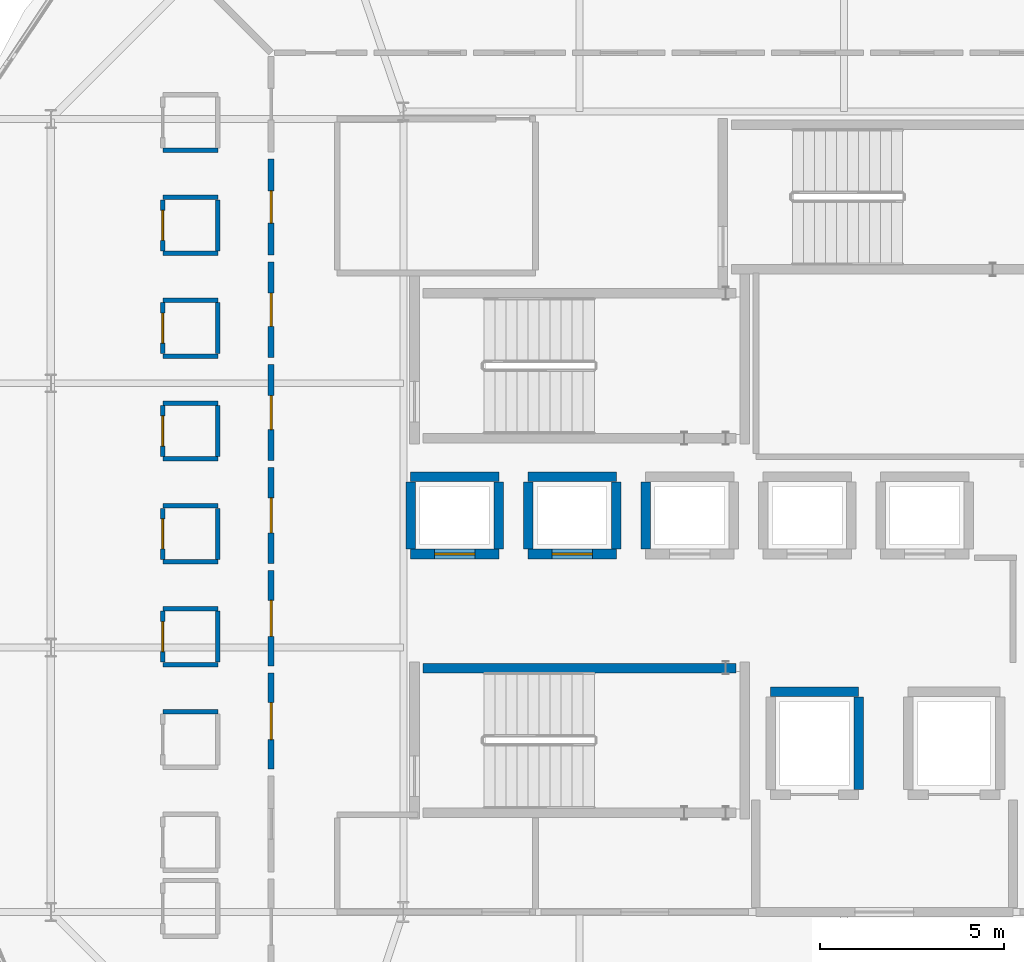
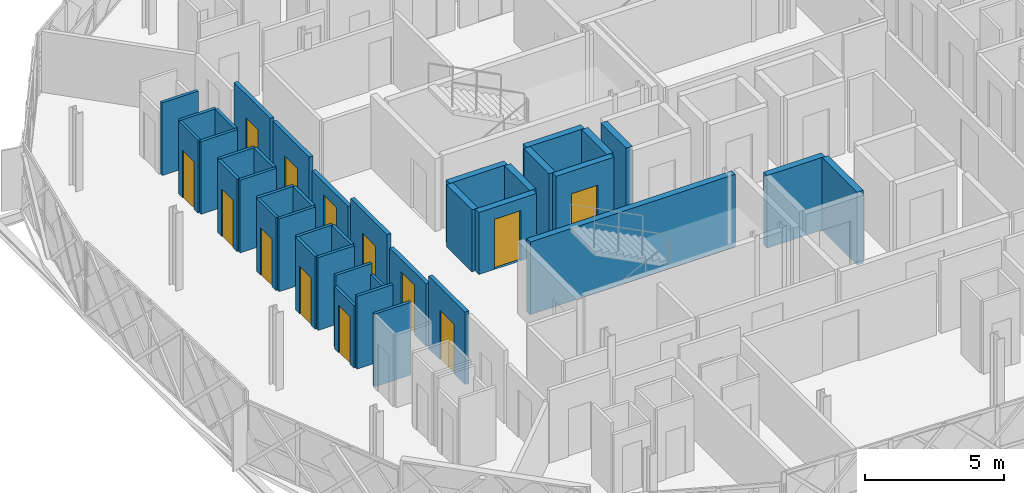
# One storey, part 16 of 26: 40 walls, 13 doors, 13 openings.
"""IFC4 building model written with IfcOpenShell, lengths in metres."""

from ifc_helpers import new_model, si_unit, direction, frame, frame_2d, origin, place, context, subcontext, project, spatial, rectangle, extrude, material, layer, layer_set, type_object, element, fill, save


model = new_model("IFC4")

# Units and contexts
model_context = context("Model", 3, precision=1e-05, world=origin(), true_north=direction((0.0, 1.0)))
body_context = subcontext(model_context, "Body", "Model", "MODEL_VIEW")
ifc_project = project(units=[si_unit("LENGTHUNIT", "METRE"), si_unit("AREAUNIT", "SQUARE_METRE"), si_unit("VOLUMEUNIT", "CUBIC_METRE"), si_unit("PLANEANGLEUNIT", "RADIAN"), si_unit("MASSUNIT", "GRAM", prefix="KILO")], contexts=[model_context])

# Site, building, storey
site_placement = place(None, origin())
site = spatial("IfcSite", under=ifc_project, at=site_placement, CompositionType="ELEMENT")
building_placement = place(site_placement, origin())
building = spatial("IfcBuilding", under=site, at=building_placement, Name="Zevrakil Square Congress Hotel", CompositionType="ELEMENT")
storey_placement = place(building_placement, frame((0.0, 0.0, 24.89990234375)))
storey = spatial("IfcBuildingStorey", under=building, at=storey_placement, Name="L07", CompositionType="ELEMENT", Elevation=24.89990234375)

# Wall, opening, door
ifc_material_1 = material(Name="Gypsum Acoustic Stud Partition")
ifc_layer_1 = layer(ifc_material_1, 0.159912109375)
ifc_layer_set_1 = layer_set([ifc_layer_1], Name="Gypsum Acoustic Stud Partition")
wall_type_1 = type_object("IfcWallType", Name="WAL-CORR-160", PredefinedType="PARTITIONING", material=ifc_layer_set_1)
wall_1_placement = place(storey_placement, frame((133.199951171875, 34.695068359375, 0.0), z_axis=(0.0, 0.0, 1.0), x_axis=(0.0, 1.0, 0.0)))
wall_1 = element("IfcWall", 1, at=wall_1_placement, inside=storey, type_object=wall_type_1, Name="L07 interior partition PW-L07-1071", PredefinedType="PARTITIONING", context=body_context, shape_type="SweptSolid", body=[
    extrude(rectangle(XDim=2.60986328125, YDim=0.159912109375, at=frame_2d((1.304931640625, 0.0))), origin(), (0.0, 0.0, 1.0), 3.190185546875),
])
opening_1_placement = place(wall_1_placement, frame((0.864990234375, 0.0, 0.0)))
opening_1 = element("IfcOpeningElement", 2, at=opening_1_placement, cuts=wall_1, Name="Opening ID-G22", PredefinedType="OPENING", context=body_context, shape_type="SweptSolid", body=[
    extrude(rectangle(XDim=0.8798828125, YDim=2.169921875, at=frame_2d((0.43994140625, 1.0849609375))), frame((0.0, 0.08984375, 0.0), z_axis=(0.0, -1.0, 0.0), x_axis=(1.0, 0.0, 0.0)), (0.0, 0.0, 1.0), 0.179931640625),
])
ifc_material_2 = material(Name="Acoustic Timber Fire Door", Category="wood")
door_type_1 = type_object("IfcDoorType", Name="DOR-INT-G22", OperationType="NOTDEFINED", PredefinedType="DOOR", material=ifc_material_2)
door_1_placement = place(opening_1_placement, origin())
door_1 = element("IfcDoor", 3, at=door_1_placement, inside=storey, type_object=door_type_1, Name="L07 interior door 420", OperationType="SINGLE_SWING_RIGHT", OverallHeight=2.169921875, OverallWidth=0.8798828125, PredefinedType="DOOR", context=body_context, shape_type="SweptSolid", body=[
    extrude(rectangle(XDim=0.8798828125, YDim=2.169921875, at=frame_2d((0.43994140625, 1.0849609375))), frame((0.0, 0.02490234375, 0.0), z_axis=(0.0, -1.0, 0.0), x_axis=(1.0, 0.0, 0.0)), (0.0, 0.0, 1.0), 0.050048828125),
])
fill(opening_1, door_1)

wall_2_placement = place(storey_placement, frame((133.199951171875, 31.89501953125, 0.0), z_axis=(0.0, 0.0, 1.0), x_axis=(0.0, 1.0, 0.0)))
wall_2 = element("IfcWall", 4, at=wall_2_placement, inside=storey, type_object=wall_type_1, Name="L07 interior partition PW-L07-1076", PredefinedType="PARTITIONING", context=body_context, shape_type="SweptSolid", body=[
    extrude(rectangle(XDim=2.60986328125, YDim=0.159912109375, at=frame_2d((1.304931640625, 0.0))), origin(), (0.0, 0.0, 1.0), 3.190185546875),
])
opening_2_placement = place(wall_2_placement, frame((0.8525390625, 0.0, 0.0)))
opening_2 = element("IfcOpeningElement", 5, at=opening_2_placement, cuts=wall_2, Name="Opening ID-G23", PredefinedType="OPENING", context=body_context, shape_type="SweptSolid", body=[
    extrude(rectangle(XDim=0.905029296875, YDim=2.169921875, at=frame_2d((0.45263671875, 1.0849609375))), frame((0.0, 0.08984375, 0.0), z_axis=(0.0, -1.0, 0.0), x_axis=(1.0, 0.0, 0.0)), (0.0, 0.0, 1.0), 0.179931640625),
])
ifc_material_3 = material(Name="Acoustic Timber Fire Door", Category="wood")
door_type_2 = type_object("IfcDoorType", Name="DOR-INT-G23", OperationType="NOTDEFINED", PredefinedType="DOOR", material=ifc_material_3)
door_2_placement = place(opening_2_placement, origin())
door_2 = element("IfcDoor", 6, at=door_2_placement, inside=storey, type_object=door_type_2, Name="L07 interior door 422", OperationType="SINGLE_SWING_RIGHT", OverallHeight=2.169921875, OverallWidth=0.905029296875, PredefinedType="DOOR", context=body_context, shape_type="SweptSolid", body=[
    extrude(rectangle(XDim=0.905029296875, YDim=2.169921875, at=frame_2d((0.45263671875, 1.0849609375))), frame((0.0, 0.02490234375, 0.0), z_axis=(0.0, -1.0, 0.0), x_axis=(1.0, 0.0, 0.0)), (0.0, 0.0, 1.0), 0.050048828125),
])
fill(opening_2, door_2)

wall_3_placement = place(storey_placement, frame((133.199951171875, 29.094970703125, 0.0), z_axis=(0.0, 0.0, 1.0), x_axis=(0.0, 1.0, 0.0)))
wall_3 = element("IfcWall", 7, at=wall_3_placement, inside=storey, type_object=wall_type_1, Name="L07 interior partition PW-L07-1081", PredefinedType="PARTITIONING", context=body_context, shape_type="SweptSolid", body=[
    extrude(rectangle(XDim=2.610107421875, YDim=0.159912109375, at=frame_2d((1.30517578125, 0.0))), origin(), (0.0, 0.0, 1.0), 2.72509765625),
])
opening_3_placement = place(wall_3_placement, frame((0.840087890625, 0.0, 0.0)))
opening_3 = element("IfcOpeningElement", 8, at=opening_3_placement, cuts=wall_3, Name="Opening ID-G24", PredefinedType="OPENING", context=body_context, shape_type="SweptSolid", body=[
    extrude(rectangle(XDim=0.929931640625, YDim=2.169921875, at=frame_2d((0.46484375, 1.0849609375))), frame((0.0, 0.08984375, 0.0), z_axis=(0.0, -1.0, 0.0), x_axis=(1.0, 0.0, 0.0)), (0.0, 0.0, 1.0), 0.179931640625),
])
ifc_material_4 = material(Name="Acoustic Timber Fire Door", Category="wood")
door_type_3 = type_object("IfcDoorType", Name="DOR-INT-G24", OperationType="NOTDEFINED", PredefinedType="DOOR", material=ifc_material_4)
door_3_placement = place(opening_3_placement, origin())
door_3 = element("IfcDoor", 9, at=door_3_placement, inside=storey, type_object=door_type_3, Name="L07 interior door 424", OperationType="SINGLE_SWING_RIGHT", OverallHeight=2.169921875, OverallWidth=0.929931640625, PredefinedType="DOOR", context=body_context, shape_type="SweptSolid", body=[
    extrude(rectangle(XDim=0.929931640625, YDim=2.169921875, at=frame_2d((0.46484375, 1.0849609375))), frame((0.0, 0.02490234375, 0.0), z_axis=(0.0, -1.0, 0.0), x_axis=(1.0, 0.0, 0.0)), (0.0, 0.0, 1.0), 0.050048828125),
])
fill(opening_3, door_3)

wall_4_placement = place(storey_placement, frame((133.199951171875, 26.294921875, 0.0), z_axis=(0.0, 0.0, 1.0), x_axis=(0.0, 1.0, 0.0)))
wall_4 = element("IfcWall", 10, at=wall_4_placement, inside=storey, type_object=wall_type_1, Name="L07 interior partition PW-L07-1086", PredefinedType="PARTITIONING", context=body_context, shape_type="SweptSolid", body=[
    extrude(rectangle(XDim=2.610107421875, YDim=0.159912109375, at=frame_2d((1.30517578125, 0.0))), origin(), (0.0, 0.0, 1.0), 3.190185546875),
])
opening_4_placement = place(wall_4_placement, frame((0.827392578125, 0.0, 0.0)))
opening_4 = element("IfcOpeningElement", 11, at=opening_4_placement, cuts=wall_4, Name="Opening ID-G25", PredefinedType="OPENING", context=body_context, shape_type="SweptSolid", body=[
    extrude(rectangle(XDim=0.955078125, YDim=2.169921875, at=frame_2d((0.4775390625, 1.0849609375))), frame((0.0, 0.08984375, 0.0), z_axis=(0.0, -1.0, 0.0), x_axis=(1.0, 0.0, 0.0)), (0.0, 0.0, 1.0), 0.179931640625),
])
ifc_material_5 = material(Name="Acoustic Timber Fire Door", Category="wood")
door_type_4 = type_object("IfcDoorType", Name="DOR-INT-G25", OperationType="NOTDEFINED", PredefinedType="DOOR", material=ifc_material_5)
door_4_placement = place(opening_4_placement, origin())
door_4 = element("IfcDoor", 12, at=door_4_placement, inside=storey, type_object=door_type_4, Name="L07 interior door 426", OperationType="SINGLE_SWING_RIGHT", OverallHeight=2.169921875, OverallWidth=0.955078125, PredefinedType="DOOR", context=body_context, shape_type="SweptSolid", body=[
    extrude(rectangle(XDim=0.955078125, YDim=2.169921875, at=frame_2d((0.4775390625, 1.0849609375))), frame((0.0, 0.02490234375, 0.0), z_axis=(0.0, -1.0, 0.0), x_axis=(1.0, 0.0, 0.0)), (0.0, 0.0, 1.0), 0.050048828125),
])
fill(opening_4, door_4)

wall_5_placement = place(storey_placement, frame((133.199951171875, 23.4951171875, 0.0), z_axis=(0.0, 0.0, 1.0), x_axis=(0.0, 1.0, 0.0)))
wall_5 = element("IfcWall", 13, at=wall_5_placement, inside=storey, type_object=wall_type_1, Name="L07 interior partition PW-L07-1091", PredefinedType="PARTITIONING", context=body_context, shape_type="SweptSolid", body=[
    extrude(rectangle(XDim=2.60986328125, YDim=0.159912109375, at=frame_2d((1.304931640625, 0.0))), origin(), (0.0, 0.0, 1.0), 2.72509765625),
])
opening_5_placement = place(wall_5_placement, frame((0.81494140625, 0.0, 0.0)))
opening_5 = element("IfcOpeningElement", 14, at=opening_5_placement, cuts=wall_5, Name="Opening ID-G26", PredefinedType="OPENING", context=body_context, shape_type="SweptSolid", body=[
    extrude(rectangle(XDim=0.97998046875, YDim=2.169921875, at=frame_2d((0.489990234375, 1.0849609375))), frame((0.0, 0.08984375, 0.0), z_axis=(0.0, -1.0, 0.0), x_axis=(1.0, 0.0, 0.0)), (0.0, 0.0, 1.0), 0.179931640625),
])
ifc_material_6 = material(Name="Acoustic Timber Fire Door", Category="wood")
door_type_5 = type_object("IfcDoorType", Name="DOR-INT-G26", OperationType="NOTDEFINED", PredefinedType="DOOR", material=ifc_material_6)
door_5_placement = place(opening_5_placement, origin())
door_5 = element("IfcDoor", 15, at=door_5_placement, inside=storey, type_object=door_type_5, Name="L07 interior door 428", OperationType="SINGLE_SWING_RIGHT", OverallHeight=2.169921875, OverallWidth=0.97998046875, PredefinedType="DOOR", context=body_context, shape_type="SweptSolid", body=[
    extrude(rectangle(XDim=0.97998046875, YDim=2.169921875, at=frame_2d((0.489990234375, 1.0849609375))), frame((0.0, 0.02490234375, 0.0), z_axis=(0.0, -1.0, 0.0), x_axis=(1.0, 0.0, 0.0)), (0.0, 0.0, 1.0), 0.050048828125),
])
fill(opening_5, door_5)

wall_6_placement = place(storey_placement, frame((133.199951171875, 20.695068359375, 0.0), z_axis=(0.0, 0.0, 1.0), x_axis=(0.0, 1.0, 0.0)))
wall_6 = element("IfcWall", 16, at=wall_6_placement, inside=storey, type_object=wall_type_1, Name="L07 interior partition PW-L07-1096", PredefinedType="PARTITIONING", context=body_context, shape_type="SweptSolid", body=[
    extrude(rectangle(XDim=2.60986328125, YDim=0.159912109375, at=frame_2d((1.304931640625, 0.0))), origin(), (0.0, 0.0, 1.0), 3.190185546875),
])
opening_6_placement = place(wall_6_placement, frame((0.802490234375, 0.0, 0.0)))
opening_6 = element("IfcOpeningElement", 17, at=opening_6_placement, cuts=wall_6, Name="Opening ID-G27", PredefinedType="OPENING", context=body_context, shape_type="SweptSolid", body=[
    extrude(rectangle(XDim=1.0048828125, YDim=2.169921875, at=frame_2d((0.50244140625, 1.0849609375))), frame((0.0, 0.08984375, 0.0), z_axis=(0.0, -1.0, 0.0), x_axis=(1.0, 0.0, 0.0)), (0.0, 0.0, 1.0), 0.179931640625),
])
ifc_material_7 = material(Name="Acoustic Timber Fire Door", Category="wood")
door_type_6 = type_object("IfcDoorType", Name="DOR-INT-G27", OperationType="NOTDEFINED", PredefinedType="DOOR", material=ifc_material_7)
door_6_placement = place(opening_6_placement, origin())
door_6 = element("IfcDoor", 18, at=door_6_placement, inside=storey, type_object=door_type_6, Name="L07 interior door 430", OperationType="SINGLE_SWING_RIGHT", OverallHeight=2.169921875, OverallWidth=1.0048828125, PredefinedType="DOOR", context=body_context, shape_type="SweptSolid", body=[
    extrude(rectangle(XDim=1.0048828125, YDim=2.169921875, at=frame_2d((0.50244140625, 1.0849609375))), frame((0.0, 0.02490234375, 0.0), z_axis=(0.0, -1.0, 0.0), x_axis=(1.0, 0.0, 0.0)), (0.0, 0.0, 1.0), 0.050048828125),
])
fill(opening_6, door_6)

# Walls
ifc_material_8 = material(Name="Moisture-Resistant Gypsum Partition")
ifc_layer_2 = layer(ifc_material_8, 0.1201171875)
ifc_layer_set_2 = layer_set([ifc_layer_2], Name="Moisture-Resistant Gypsum Partition")
wall_type_2 = type_object("IfcWallType", Name="WAL-ENS-120", PredefinedType="PARTITIONING", material=ifc_layer_set_2)
for number, where, z_axis, x_axis, name in (
    (19, (130.25, 37.5400390625, 0.0), (0.0, 0.0, 1.0), (1.0, 0.0, 0.0), "L07 interior partition PW-L07-1067"),
    (20, (130.25, 34.739990234375, 0.0), (0.0, 0.0, 1.0), (1.0, 0.0, 0.0), "L07 interior partition PW-L07-1072"),
    (21, (130.25, 36.260009765625, 0.0), (0.0, 0.0, 1.0), (1.0, 0.0, 0.0), "L07 interior partition PW-L07-1073"),
):
    element("IfcWall", number, at=place(storey_placement, frame(where, z_axis=z_axis, x_axis=x_axis)), inside=storey, type_object=wall_type_2, Name=name, PredefinedType="PARTITIONING", context=body_context, shape_type="SweptSolid", body=[
        extrude(rectangle(XDim=1.5, YDim=0.1201171875, at=frame_2d((0.75, 0.0))), origin(), (0.0, 0.0, 1.0), 3.190185546875),
    ])

# Wall, opening, door
wall_7_placement = place(storey_placement, frame((130.25, 34.804931640625, 0.0), z_axis=(0.0, 0.0, 1.0), x_axis=(0.0, 1.0, 0.0)))
wall_7 = element("IfcWall", 22, at=wall_7_placement, inside=storey, type_object=wall_type_2, Name="L07 interior partition PW-L07-1074", PredefinedType="PARTITIONING", context=body_context, shape_type="SweptSolid", body=[
    extrude(rectangle(XDim=1.39013671875, YDim=0.1201171875, at=frame_2d((0.695068359375, 0.0))), origin(), (0.0, 0.0, 1.0), 3.190185546875),
])
opening_7_placement = place(wall_7_placement, frame((0.284912109375, 0.0, 0.0)))
opening_7 = element("IfcOpeningElement", 23, at=opening_7_placement, cuts=wall_7, Name="Opening ID-11", PredefinedType="OPENING", context=body_context, shape_type="SweptSolid", body=[
    extrude(rectangle(XDim=0.820068359375, YDim=2.080078125, at=frame_2d((0.41015625, 1.0400390625))), frame((0.0, 0.070068359375, 0.0), z_axis=(0.0, -1.0, 0.0), x_axis=(1.0, 0.0, 0.0)), (0.0, 0.0, 1.0), 0.14013671875),
])
ifc_material_9 = material(Name="Acoustic Timber Door", Category="wood")
door_type_7 = type_object("IfcDoorType", Name="DOR-INT-V01", OperationType="NOTDEFINED", PredefinedType="DOOR", material=ifc_material_9)
door_7_placement = place(opening_7_placement, origin())
door_7 = element("IfcDoor", 24, at=door_7_placement, inside=storey, type_object=door_type_7, Name="L07 interior door 421", OperationType="SINGLE_SWING_LEFT", OverallHeight=2.080078125, OverallWidth=0.820068359375, PredefinedType="DOOR", context=body_context, shape_type="SweptSolid", body=[
    extrude(rectangle(XDim=0.820068359375, YDim=2.080078125, at=frame_2d((0.41015625, 1.0400390625))), frame((0.0, 0.02490234375, 0.0), z_axis=(0.0, -1.0, 0.0), x_axis=(1.0, 0.0, 0.0)), (0.0, 0.0, 1.0), 0.050048828125),
])
fill(opening_7, door_7)

# Walls
wall_8_placement = place(storey_placement, frame((131.75, 34.804931640625, 0.0), z_axis=(0.0, 0.0, 1.0), x_axis=(0.0, 1.0, 0.0)))
element("IfcWall", 25, at=wall_8_placement, inside=storey, type_object=wall_type_2, Name="L07 interior partition PW-L07-1075", PredefinedType="PARTITIONING", context=body_context, shape_type="SweptSolid", body=[
    extrude(rectangle(XDim=1.39013671875, YDim=0.1201171875, at=frame_2d((0.695068359375, 0.0))), origin(), (0.0, 0.0, 1.0), 3.190185546875),
])
for number, where, z_axis, x_axis, name in (
    (26, (130.25, 31.93994140625, 0.0), (0.0, 0.0, 1.0), (1.0, 0.0, 0.0), "L07 interior partition PW-L07-1077"),
    (27, (130.25, 33.4599609375, 0.0), (0.0, 0.0, 1.0), (1.0, 0.0, 0.0), "L07 interior partition PW-L07-1078"),
):
    element("IfcWall", number, at=place(storey_placement, frame(where, z_axis=z_axis, x_axis=x_axis)), inside=storey, type_object=wall_type_2, Name=name, PredefinedType="PARTITIONING", context=body_context, shape_type="SweptSolid", body=[
        extrude(rectangle(XDim=1.5, YDim=0.1201171875, at=frame_2d((0.75, 0.0))), origin(), (0.0, 0.0, 1.0), 3.190185546875),
    ])

# Wall, opening, door
wall_9_placement = place(storey_placement, frame((130.25, 32.0048828125, 0.0), z_axis=(0.0, 0.0, 1.0), x_axis=(0.0, 1.0, 0.0)))
wall_9 = element("IfcWall", 28, at=wall_9_placement, inside=storey, type_object=wall_type_2, Name="L07 interior partition PW-L07-1079", PredefinedType="PARTITIONING", context=body_context, shape_type="SweptSolid", body=[
    extrude(rectangle(XDim=1.39013671875, YDim=0.1201171875, at=frame_2d((0.695068359375, 0.0))), origin(), (0.0, 0.0, 1.0), 3.190185546875),
])
opening_8_placement = place(wall_9_placement, frame((0.284912109375, 0.0, 0.0)))
opening_8 = element("IfcOpeningElement", 29, at=opening_8_placement, cuts=wall_9, Name="Opening ID-11", PredefinedType="OPENING", context=body_context, shape_type="SweptSolid", body=[
    extrude(rectangle(XDim=0.820068359375, YDim=2.080078125, at=frame_2d((0.41015625, 1.0400390625))), frame((0.0, 0.070068359375, 0.0), z_axis=(0.0, -1.0, 0.0), x_axis=(1.0, 0.0, 0.0)), (0.0, 0.0, 1.0), 0.14013671875),
])
door_8_placement = place(opening_8_placement, origin())
door_8 = element("IfcDoor", 30, at=door_8_placement, inside=storey, type_object=door_type_7, Name="L07 interior door 423", OperationType="SINGLE_SWING_LEFT", OverallHeight=2.080078125, OverallWidth=0.820068359375, PredefinedType="DOOR", context=body_context, shape_type="SweptSolid", body=[
    extrude(rectangle(XDim=0.820068359375, YDim=2.080078125, at=frame_2d((0.41015625, 1.0400390625))), frame((0.0, 0.02490234375, 0.0), z_axis=(0.0, -1.0, 0.0), x_axis=(1.0, 0.0, 0.0)), (0.0, 0.0, 1.0), 0.050048828125),
])
fill(opening_8, door_8)

# Walls
wall_10_placement = place(storey_placement, frame((131.75, 32.0048828125, 0.0), z_axis=(0.0, 0.0, 1.0), x_axis=(0.0, 1.0, 0.0)))
element("IfcWall", 31, at=wall_10_placement, inside=storey, type_object=wall_type_2, Name="L07 interior partition PW-L07-1080", PredefinedType="PARTITIONING", context=body_context, shape_type="SweptSolid", body=[
    extrude(rectangle(XDim=1.39013671875, YDim=0.1201171875, at=frame_2d((0.695068359375, 0.0))), origin(), (0.0, 0.0, 1.0), 3.190185546875),
])
for number, where, z_axis, x_axis, name in (
    (32, (130.25, 29.139892578125, 0.0), (0.0, 0.0, 1.0), (1.0, 0.0, 0.0), "L07 interior partition PW-L07-1082"),
    (33, (130.25, 30.659912109375, 0.0), (0.0, 0.0, 1.0), (1.0, 0.0, 0.0), "L07 interior partition PW-L07-1083"),
):
    element("IfcWall", number, at=place(storey_placement, frame(where, z_axis=z_axis, x_axis=x_axis)), inside=storey, type_object=wall_type_2, Name=name, PredefinedType="PARTITIONING", context=body_context, shape_type="SweptSolid", body=[
        extrude(rectangle(XDim=1.5, YDim=0.1201171875, at=frame_2d((0.75, 0.0))), origin(), (0.0, 0.0, 1.0), 3.190185546875),
    ])

# Wall, opening, door
wall_11_placement = place(storey_placement, frame((130.25, 29.205078125, 0.0), z_axis=(0.0, 0.0, 1.0), x_axis=(0.0, 1.0, 0.0)))
wall_11 = element("IfcWall", 34, at=wall_11_placement, inside=storey, type_object=wall_type_2, Name="L07 interior partition PW-L07-1084", PredefinedType="PARTITIONING", context=body_context, shape_type="SweptSolid", body=[
    extrude(rectangle(XDim=1.389892578125, YDim=0.1201171875, at=frame_2d((0.69482421875, 0.0))), origin(), (0.0, 0.0, 1.0), 3.190185546875),
])
opening_9_placement = place(wall_11_placement, frame((0.284912109375, 0.0, 0.0)))
opening_9 = element("IfcOpeningElement", 35, at=opening_9_placement, cuts=wall_11, Name="Opening ID-11", PredefinedType="OPENING", context=body_context, shape_type="SweptSolid", body=[
    extrude(rectangle(XDim=0.820068359375, YDim=2.080078125, at=frame_2d((0.41015625, 1.0400390625))), frame((0.0, 0.070068359375, 0.0), z_axis=(0.0, -1.0, 0.0), x_axis=(1.0, 0.0, 0.0)), (0.0, 0.0, 1.0), 0.14013671875),
])
door_9_placement = place(opening_9_placement, origin())
door_9 = element("IfcDoor", 36, at=door_9_placement, inside=storey, type_object=door_type_7, Name="L07 interior door 425", OperationType="SINGLE_SWING_LEFT", OverallHeight=2.080078125, OverallWidth=0.820068359375, PredefinedType="DOOR", context=body_context, shape_type="SweptSolid", body=[
    extrude(rectangle(XDim=0.820068359375, YDim=2.080078125, at=frame_2d((0.41015625, 1.0400390625))), frame((0.0, 0.02490234375, 0.0), z_axis=(0.0, -1.0, 0.0), x_axis=(1.0, 0.0, 0.0)), (0.0, 0.0, 1.0), 0.050048828125),
])
fill(opening_9, door_9)

# Walls
wall_12_placement = place(storey_placement, frame((131.75, 29.205078125, 0.0), z_axis=(0.0, 0.0, 1.0), x_axis=(0.0, 1.0, 0.0)))
element("IfcWall", 37, at=wall_12_placement, inside=storey, type_object=wall_type_2, Name="L07 interior partition PW-L07-1085", PredefinedType="PARTITIONING", context=body_context, shape_type="SweptSolid", body=[
    extrude(rectangle(XDim=1.389892578125, YDim=0.1201171875, at=frame_2d((0.69482421875, 0.0))), origin(), (0.0, 0.0, 1.0), 3.190185546875),
])
for number, where, z_axis, x_axis, name in (
    (38, (130.25, 26.340087890625, 0.0), (0.0, 0.0, 1.0), (1.0, 0.0, 0.0), "L07 interior partition PW-L07-1087"),
    (39, (130.25, 27.860107421875, 0.0), (0.0, 0.0, 1.0), (1.0, 0.0, 0.0), "L07 interior partition PW-L07-1088"),
):
    element("IfcWall", number, at=place(storey_placement, frame(where, z_axis=z_axis, x_axis=x_axis)), inside=storey, type_object=wall_type_2, Name=name, PredefinedType="PARTITIONING", context=body_context, shape_type="SweptSolid", body=[
        extrude(rectangle(XDim=1.5, YDim=0.1201171875, at=frame_2d((0.75, 0.0))), origin(), (0.0, 0.0, 1.0), 3.190185546875),
    ])

# Wall, opening, door
wall_13_placement = place(storey_placement, frame((130.25, 26.405029296875, 0.0), z_axis=(0.0, 0.0, 1.0), x_axis=(0.0, 1.0, 0.0)))
wall_13 = element("IfcWall", 40, at=wall_13_placement, inside=storey, type_object=wall_type_2, Name="L07 interior partition PW-L07-1089", PredefinedType="PARTITIONING", context=body_context, shape_type="SweptSolid", body=[
    extrude(rectangle(XDim=1.389892578125, YDim=0.1201171875, at=frame_2d((0.69482421875, 0.0))), origin(), (0.0, 0.0, 1.0), 3.190185546875),
])
opening_10_placement = place(wall_13_placement, frame((0.284912109375, 0.0, 0.0)))
opening_10 = element("IfcOpeningElement", 41, at=opening_10_placement, cuts=wall_13, Name="Opening ID-11", PredefinedType="OPENING", context=body_context, shape_type="SweptSolid", body=[
    extrude(rectangle(XDim=0.820068359375, YDim=2.080078125, at=frame_2d((0.41015625, 1.0400390625))), frame((0.0, 0.070068359375, 0.0), z_axis=(0.0, -1.0, 0.0), x_axis=(1.0, 0.0, 0.0)), (0.0, 0.0, 1.0), 0.14013671875),
])
door_10_placement = place(opening_10_placement, origin())
door_10 = element("IfcDoor", 42, at=door_10_placement, inside=storey, type_object=door_type_7, Name="L07 interior door 427", OperationType="SINGLE_SWING_LEFT", OverallHeight=2.080078125, OverallWidth=0.820068359375, PredefinedType="DOOR", context=body_context, shape_type="SweptSolid", body=[
    extrude(rectangle(XDim=0.820068359375, YDim=2.080078125, at=frame_2d((0.41015625, 1.0400390625))), frame((0.0, 0.02490234375, 0.0), z_axis=(0.0, -1.0, 0.0), x_axis=(1.0, 0.0, 0.0)), (0.0, 0.0, 1.0), 0.050048828125),
])
fill(opening_10, door_10)

# Walls
wall_14_placement = place(storey_placement, frame((131.75, 26.405029296875, 0.0), z_axis=(0.0, 0.0, 1.0), x_axis=(0.0, 1.0, 0.0)))
element("IfcWall", 43, at=wall_14_placement, inside=storey, type_object=wall_type_2, Name="L07 interior partition PW-L07-1090", PredefinedType="PARTITIONING", context=body_context, shape_type="SweptSolid", body=[
    extrude(rectangle(XDim=1.389892578125, YDim=0.1201171875, at=frame_2d((0.69482421875, 0.0))), origin(), (0.0, 0.0, 1.0), 3.190185546875),
])
for number, where, z_axis, x_axis, name in (
    (44, (130.25, 23.5400390625, 0.0), (0.0, 0.0, 1.0), (1.0, 0.0, 0.0), "L07 interior partition PW-L07-1092"),
    (45, (130.25, 25.06005859375, 0.0), (0.0, 0.0, 1.0), (1.0, 0.0, 0.0), "L07 interior partition PW-L07-1093"),
):
    element("IfcWall", number, at=place(storey_placement, frame(where, z_axis=z_axis, x_axis=x_axis)), inside=storey, type_object=wall_type_2, Name=name, PredefinedType="PARTITIONING", context=body_context, shape_type="SweptSolid", body=[
        extrude(rectangle(XDim=1.5, YDim=0.1201171875, at=frame_2d((0.75, 0.0))), origin(), (0.0, 0.0, 1.0), 3.190185546875),
    ])

# Wall, opening, door
wall_15_placement = place(storey_placement, frame((130.25, 23.60498046875, 0.0), z_axis=(0.0, 0.0, 1.0), x_axis=(0.0, 1.0, 0.0)))
wall_15 = element("IfcWall", 46, at=wall_15_placement, inside=storey, type_object=wall_type_2, Name="L07 interior partition PW-L07-1094", PredefinedType="PARTITIONING", context=body_context, shape_type="SweptSolid", body=[
    extrude(rectangle(XDim=1.39013671875, YDim=0.1201171875, at=frame_2d((0.695068359375, 0.0))), origin(), (0.0, 0.0, 1.0), 2.72509765625),
])
opening_11_placement = place(wall_15_placement, frame((0.284912109375, 0.0, 0.0)))
opening_11 = element("IfcOpeningElement", 47, at=opening_11_placement, cuts=wall_15, Name="Opening ID-11", PredefinedType="OPENING", context=body_context, shape_type="SweptSolid", body=[
    extrude(rectangle(XDim=0.820068359375, YDim=2.080078125, at=frame_2d((0.41015625, 1.0400390625))), frame((0.0, 0.070068359375, 0.0), z_axis=(0.0, -1.0, 0.0), x_axis=(1.0, 0.0, 0.0)), (0.0, 0.0, 1.0), 0.14013671875),
])
door_11_placement = place(opening_11_placement, origin())
door_11 = element("IfcDoor", 48, at=door_11_placement, inside=storey, type_object=door_type_7, Name="L07 interior door 429", OperationType="SINGLE_SWING_LEFT", OverallHeight=2.080078125, OverallWidth=0.820068359375, PredefinedType="DOOR", context=body_context, shape_type="SweptSolid", body=[
    extrude(rectangle(XDim=0.820068359375, YDim=2.080078125, at=frame_2d((0.41015625, 1.0400390625))), frame((0.0, 0.02490234375, 0.0), z_axis=(0.0, -1.0, 0.0), x_axis=(1.0, 0.0, 0.0)), (0.0, 0.0, 1.0), 0.050048828125),
])
fill(opening_11, door_11)

# Walls
wall_16_placement = place(storey_placement, frame((131.75, 23.60498046875, 0.0), z_axis=(0.0, 0.0, 1.0), x_axis=(0.0, 1.0, 0.0)))
element("IfcWall", 49, at=wall_16_placement, inside=storey, type_object=wall_type_2, Name="L07 interior partition PW-L07-1095", PredefinedType="PARTITIONING", context=body_context, shape_type="SweptSolid", body=[
    extrude(rectangle(XDim=1.39013671875, YDim=0.1201171875, at=frame_2d((0.695068359375, 0.0))), origin(), (0.0, 0.0, 1.0), 2.72509765625),
])
wall_17_placement = place(storey_placement, frame((130.25, 22.260009765625, 0.0), z_axis=(0.0, 0.0, 1.0), x_axis=(1.0, 0.0, 0.0)))
element("IfcWall", 50, at=wall_17_placement, inside=storey, type_object=wall_type_2, Name="L07 interior partition PW-L07-1098", PredefinedType="PARTITIONING", context=body_context, shape_type="SweptSolid", body=[
    extrude(rectangle(XDim=1.5, YDim=0.1201171875, at=frame_2d((0.75, 0.0))), origin(), (0.0, 0.0, 1.0), 3.190185546875),
])
ifc_material_10 = material(Name="Concrete C40/50", Category="concrete")
ifc_layer_3 = layer(ifc_material_10, 0.260009765625)
ifc_layer_set_3 = layer_set([ifc_layer_3], Name="Concrete C40/50")
wall_type_3 = type_object("IfcWallType", Name="WAL-SHAFT-260", PredefinedType="SHEAR", material=ifc_layer_set_3)
wall_18_placement = place(storey_placement, frame((137.340087890625, 23.445068359375, 0.0), z_axis=(0.0, 0.0, 1.0), x_axis=(1.0, 0.0, 0.0)))
element("IfcWall", 51, at=wall_18_placement, inside=storey, type_object=wall_type_3, Name="L07 ST01 stair shaft N wall", PredefinedType="SHEAR", context=body_context, shape_type="SweptSolid", body=[
    extrude(rectangle(XDim=8.52001953125, YDim=0.260009765625, at=frame_2d((4.260009765625, 0.0))), origin(), (0.0, 0.0, 1.0), 3.190185546875),
])

# Wall, opening, door
wall_19_placement = place(storey_placement, frame((137.0, 26.550048828125, 0.0), z_axis=(0.0, 0.0, 1.0), x_axis=(1.0, 0.0, 0.0)))
wall_19 = element("IfcWall", 52, at=wall_19_placement, inside=storey, type_object=wall_type_3, Name="L07 HL1 lift shaft wall", PredefinedType="SHEAR", context=body_context, shape_type="SweptSolid", body=[
    extrude(rectangle(XDim=2.39990234375, YDim=0.260009765625, at=frame_2d((1.199951171875, 0.0))), origin(), (0.0, 0.0, 1.0), 2.72509765625),
])
opening_12_placement = place(wall_19_placement, frame((0.64990234375, 0.0, 0.0)))
opening_12 = element("IfcOpeningElement", 53, at=opening_12_placement, cuts=wall_19, Name="Opening LD-HL1", PredefinedType="OPENING", context=body_context, shape_type="SweptSolid", body=[
    extrude(rectangle(XDim=1.10009765625, YDim=2.199951171875, at=frame_2d((0.550048828125, 1.10009765625))), frame((0.0, 0.14013671875, 0.0), z_axis=(0.0, -1.0, 0.0), x_axis=(1.0, 0.0, 0.0)), (0.0, 0.0, 1.0), 0.280029296875),
])
ifc_material_11 = material(Name="Stainless Steel Sliding Lift Landing Door", Category="steel")
door_type_8 = type_object("IfcDoorType", Name="DOR-LIFT-LD110", OperationType="NOTDEFINED", PredefinedType="DOOR", material=ifc_material_11)
door_12_placement = place(opening_12_placement, origin())
door_12 = element("IfcDoor", 54, at=door_12_placement, inside=storey, type_object=door_type_8, Name="L07 HL1 sliding lift landing door", OperationType="SLIDING_TO_LEFT", OverallHeight=2.199951171875, OverallWidth=1.10009765625, PredefinedType="DOOR", context=body_context, shape_type="SweptSolid", body=[
    extrude(rectangle(XDim=1.10009765625, YDim=2.199951171875, at=frame_2d((0.550048828125, 1.10009765625))), frame((0.0, 0.02490234375, 0.0), z_axis=(0.0, -1.0, 0.0), x_axis=(1.0, 0.0, 0.0)), (0.0, 0.0, 1.0), 0.050048828125),
])
fill(opening_12, door_12)

# Walls
wall_20_placement = place(storey_placement, frame((137.0, 28.64990234375, 0.0), z_axis=(0.0, 0.0, 1.0), x_axis=(1.0, 0.0, 0.0)))
element("IfcWall", 55, at=wall_20_placement, inside=storey, type_object=wall_type_3, Name="L07 HL1 lift shaft wall", PredefinedType="SHEAR", context=body_context, shape_type="SweptSolid", body=[
    extrude(rectangle(XDim=2.39990234375, YDim=0.260009765625, at=frame_2d((1.199951171875, 0.0))), origin(), (0.0, 0.0, 1.0), 2.72509765625),
])
for number, where, z_axis, x_axis, name in (
    (56, (137.0, 26.68994140625, 0.0), (0.0, 0.0, 1.0), (0.0, 1.0, 0.0), "L07 HL1 lift shaft wall"),
    (57, (139.39990234375, 26.68994140625, 0.0), (0.0, 0.0, 1.0), (0.0, 1.0, 0.0), "L07 HL1 lift shaft wall"),
):
    element("IfcWall", number, at=place(storey_placement, frame(where, z_axis=z_axis, x_axis=x_axis)), inside=storey, type_object=wall_type_3, Name=name, PredefinedType="SHEAR", context=body_context, shape_type="SweptSolid", body=[
        extrude(rectangle(XDim=1.820068359375, YDim=0.260009765625, at=frame_2d((0.91015625, 0.0))), origin(), (0.0, 0.0, 1.0), 2.72509765625),
    ])

# Wall, opening, door
wall_21_placement = place(storey_placement, frame((140.199951171875, 26.550048828125, 0.0), z_axis=(0.0, 0.0, 1.0), x_axis=(1.0, 0.0, 0.0)))
wall_21 = element("IfcWall", 58, at=wall_21_placement, inside=storey, type_object=wall_type_3, Name="L07 HL2 lift shaft wall", PredefinedType="SHEAR", context=body_context, shape_type="SweptSolid", body=[
    extrude(rectangle(XDim=2.400146484375, YDim=0.260009765625, at=frame_2d((1.2001953125, 0.0))), origin(), (0.0, 0.0, 1.0), 3.190185546875),
])
opening_13_placement = place(wall_21_placement, frame((0.64990234375, 0.0, 0.0)))
opening_13 = element("IfcOpeningElement", 59, at=opening_13_placement, cuts=wall_21, Name="Opening LD-HL2", PredefinedType="OPENING", context=body_context, shape_type="SweptSolid", body=[
    extrude(rectangle(XDim=1.10009765625, YDim=2.199951171875, at=frame_2d((0.550048828125, 1.10009765625))), frame((0.0, 0.14013671875, 0.0), z_axis=(0.0, -1.0, 0.0), x_axis=(1.0, 0.0, 0.0)), (0.0, 0.0, 1.0), 0.280029296875),
])
door_13_placement = place(opening_13_placement, origin())
door_13 = element("IfcDoor", 60, at=door_13_placement, inside=storey, type_object=door_type_8, Name="L07 HL2 sliding lift landing door", OperationType="SLIDING_TO_RIGHT", OverallHeight=2.199951171875, OverallWidth=1.10009765625, PredefinedType="DOOR", context=body_context, shape_type="SweptSolid", body=[
    extrude(rectangle(XDim=1.10009765625, YDim=2.199951171875, at=frame_2d((0.550048828125, 1.10009765625))), frame((0.0, 0.02490234375, 0.0), z_axis=(0.0, -1.0, 0.0), x_axis=(1.0, 0.0, 0.0)), (0.0, 0.0, 1.0), 0.050048828125),
])
fill(opening_13, door_13)

# Walls
wall_22_placement = place(storey_placement, frame((140.199951171875, 28.64990234375, 0.0), z_axis=(0.0, 0.0, 1.0), x_axis=(1.0, 0.0, 0.0)))
element("IfcWall", 61, at=wall_22_placement, inside=storey, type_object=wall_type_3, Name="L07 HL2 lift shaft wall", PredefinedType="SHEAR", context=body_context, shape_type="SweptSolid", body=[
    extrude(rectangle(XDim=2.400146484375, YDim=0.260009765625, at=frame_2d((1.2001953125, 0.0))), origin(), (0.0, 0.0, 1.0), 3.190185546875),
])
for number, where, z_axis, x_axis, name in (
    (62, (140.199951171875, 26.68994140625, 0.0), (0.0, 0.0, 1.0), (0.0, 1.0, 0.0), "L07 HL2 lift shaft wall"),
    (63, (142.60009765625, 26.68994140625, 0.0), (0.0, 0.0, 1.0), (0.0, 1.0, 0.0), "L07 HL2 lift shaft wall"),
    (64, (143.39990234375, 26.68994140625, 0.0), (0.0, 0.0, 1.0), (0.0, 1.0, 0.0), "L07 HL3 lift shaft wall"),
):
    element("IfcWall", number, at=place(storey_placement, frame(where, z_axis=z_axis, x_axis=x_axis)), inside=storey, type_object=wall_type_3, Name=name, PredefinedType="SHEAR", context=body_context, shape_type="SweptSolid", body=[
        extrude(rectangle(XDim=1.820068359375, YDim=0.260009765625, at=frame_2d((0.91015625, 0.0))), origin(), (0.0, 0.0, 1.0), 3.190185546875),
    ])
wall_23_placement = place(storey_placement, frame((146.800048828125, 22.800048828125, 0.0), z_axis=(0.0, 0.0, 1.0), x_axis=(1.0, 0.0, 0.0)))
element("IfcWall", 65, at=wall_23_placement, inside=storey, type_object=wall_type_3, Name="L07 FFL1 lift shaft wall", PredefinedType="SHEAR", context=body_context, shape_type="SweptSolid", body=[
    extrude(rectangle(XDim=2.39990234375, YDim=0.260009765625, at=frame_2d((1.199951171875, 0.0))), origin(), (0.0, 0.0, 1.0), 3.190185546875),
])
wall_24_placement = place(storey_placement, frame((149.199951171875, 20.139892578125, 0.0), z_axis=(0.0, 0.0, 1.0), x_axis=(0.0, 1.0, 0.0)))
element("IfcWall", 66, at=wall_24_placement, inside=storey, type_object=wall_type_3, Name="L07 FFL1 lift shaft wall", PredefinedType="SHEAR", context=body_context, shape_type="SweptSolid", body=[
    extrude(rectangle(XDim=2.52001953125, YDim=0.260009765625, at=frame_2d((1.260009765625, 0.0))), origin(), (0.0, 0.0, 1.0), 3.190185546875),
])

save(model, "model.ifc")
